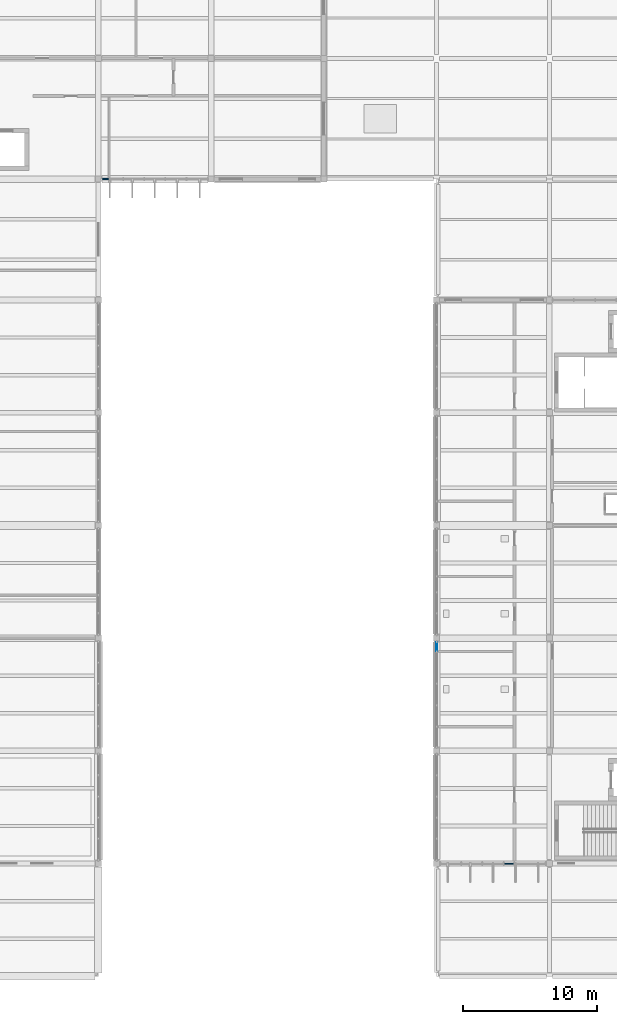
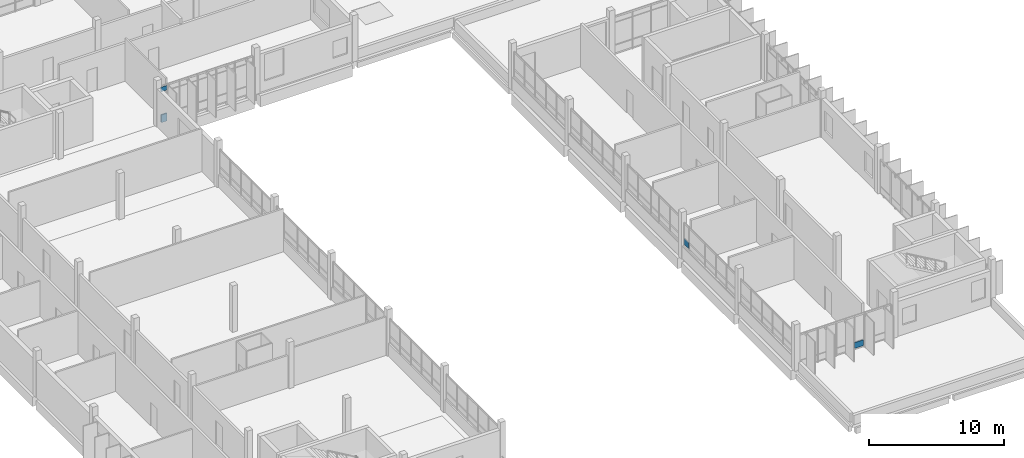
# One storey, part 49 of 62: 4 plates, 3 elements without a shape of their own.
"""IFC4 building model written with IfcOpenShell, lengths in metres."""

from ifc_helpers import new_model, si_unit, direction, frame, origin, origin_2d, place, context, subcontext, project, spatial, rectangle, extrude, material, layer, layer_set, type_object, element, aggregate, save


model = new_model("IFC4")

# Units and contexts
model_context = context("Model", 3, precision=1e-05, world=origin(), true_north=direction((0.0, 1.0)))
body_context = subcontext(model_context, "Body", "Model", "MODEL_VIEW")
ifc_project = project(units=[si_unit("LENGTHUNIT", "METRE"), si_unit("AREAUNIT", "SQUARE_METRE"), si_unit("VOLUMEUNIT", "CUBIC_METRE"), si_unit("PLANEANGLEUNIT", "RADIAN"), si_unit("MASSUNIT", "GRAM", prefix="KILO")], contexts=[model_context])

# Site, building, storey
site_placement = place(None, origin())
site = spatial("IfcSite", under=ifc_project, at=site_placement, CompositionType="ELEMENT")
building_placement = place(site_placement, origin())
building = spatial("IfcBuilding", under=site, at=building_placement, Name="Vireocrest Preparatory School", CompositionType="ELEMENT")
storey_placement = place(building_placement, frame((0.0, 0.0, 17.39990234375)))
storey = spatial("IfcBuildingStorey", under=building, at=storey_placement, Name="L04", CompositionType="ELEMENT", Elevation=17.39990234375)

# Curtain wall, plate
ifc_material_1 = material(Name="Thermally broken aluminium EN AW-6063-T6", Category="aluminium")
ifc_layer_1 = layer(ifc_material_1, 0.179931640625)
ifc_layer_set_1 = layer_set([ifc_layer_1], Name="Thermally broken aluminium EN AW-6063-T6")
curtain_wall_type_1 = type_object("IfcCurtainWallType", Name="Side Facade Curtain Wall 9000x4200", PredefinedType="USERDEFINED", material=ifc_layer_set_1)
curtain_wall_1_placement = place(storey_placement, origin())
curtain_wall_1 = element("IfcCurtainWall", 1, at=curtain_wall_1_placement, inside=storey, type_object=curtain_wall_type_1, Name="Curtain Wall CW07 CW_L04_CW07_0674_0948_174", ObjectType="CURTAIN WALL", PredefinedType="USERDEFINED")
ifc_material_2 = material(Name="Insulated triple low-e tempered safety glass", Category="glass")
ifc_layer_2 = layer(ifc_material_2, 0.074951171875)
ifc_layer_set_2 = layer_set([ifc_layer_2], Name="Insulated triple low-e tempered safety glass")
plate_type_1 = type_object("IfcPlateType", Name="Acoustic Triple-Glazed Lab Curtain Panel 75", PredefinedType="CURTAIN_PANEL", material=ifc_layer_set_2)
plate_1_placement = place(storey_placement, frame((67.72998046875, 94.800048828125, 2.91259765625), z_axis=(0.0, 0.0, 1.0), x_axis=(1.0, 0.0, 0.0)))
plate_1 = element("IfcPlate", 2, at=plate_1_placement, type_object=plate_type_1, Name="CW Panel GL2 CW_L04_CW07_0674_0948_174-1-3", PredefinedType="CURTAIN_PANEL", context=body_context, shape_type="SweptSolid", body=[
    extrude(rectangle(XDim=0.47509765625, YDim=0.074951171875, at=origin_2d()), origin(), (0.0, 0.0, 1.0), 0.409912109375),
])

curtain_wall_2_placement = place(storey_placement, origin())
curtain_wall_2 = element("IfcCurtainWall", 3, at=curtain_wall_2_placement, inside=storey, type_object=curtain_wall_type_1, Name="Curtain Wall CW07 CW_L04_CW07_0926_0438_174", ObjectType="CURTAIN WALL", PredefinedType="USERDEFINED")
plate_2_placement = place(storey_placement, frame((97.7939453125, 43.800048828125, 0.127685546875), z_axis=(0.0, 0.0, 1.0), x_axis=(1.0, 0.0, 0.0)))
plate_2 = element("IfcPlate", 4, at=plate_2_placement, type_object=plate_type_1, Name="CW Panel GL2 CW_L04_CW07_0926_0438_174-4-1", PredefinedType="CURTAIN_PANEL", context=body_context, shape_type="SweptSolid", body=[
    extrude(rectangle(XDim=0.7470703125, YDim=0.074951171875, at=origin_2d()), origin(), (0.0, 0.0, 1.0), 0.5400390625),
])
aggregate(curtain_wall_2, [plate_2])

# Plate
ifc_material_3 = material(Name="Painted white aluminium cladding EN AW-6063-T6", Category="aluminium")
ifc_layer_3 = layer(ifc_material_3, 0.114990234375)
ifc_layer_set_3 = layer_set([ifc_layer_3], Name="Painted white aluminium cladding EN AW-6063-T6")
plate_type_2 = type_object("IfcPlateType", Name="Insulated White Spandrel Curtain Panel 115", PredefinedType="CURTAIN_PANEL", material=ifc_layer_set_3)
plate_3_placement = place(storey_placement, frame((67.72998046875, 94.800048828125, 0.127685546875), z_axis=(0.0, 0.0, 1.0), x_axis=(1.0, 0.0, 0.0)))
plate_3 = element("IfcPlate", 5, at=plate_3_placement, type_object=plate_type_2, Name="CW Panel SP2 CW_L04_CW07_0674_0948_174-1-1", PredefinedType="CURTAIN_PANEL", context=body_context, shape_type="SweptSolid", body=[
    extrude(rectangle(XDim=0.47509765625, YDim=0.114990234375, at=origin_2d()), origin(), (0.0, 0.0, 1.0), 0.68994140625),
])

aggregate(curtain_wall_1, [plate_3, plate_1])

# Curtain wall, plate
ifc_layer_4 = layer(ifc_material_1, 0.179931640625)
ifc_layer_set_4 = layer_set([ifc_layer_4], Name="Thermally broken aluminium EN AW-6063-T6")
curtain_wall_type_2 = type_object("IfcCurtainWallType", Name="Court Banded Curtain Wall 8400x3000", PredefinedType="USERDEFINED", material=ifc_layer_set_4)
curtain_wall_3_placement = place(storey_placement, origin())
curtain_wall_3 = element("IfcCurtainWall", 6, at=curtain_wall_3_placement, inside=storey, type_object=curtain_wall_type_2, Name="Curtain Wall CW02 CW_L04_CW02_0924_0524_186", ObjectType="CURTAIN WALL", PredefinedType="USERDEFINED")
ifc_layer_5 = layer(ifc_material_2, 0.06005859375)
ifc_layer_set_5 = layer_set([ifc_layer_5], Name="Insulated triple low-e tempered safety glass")
plate_type_3 = type_object("IfcPlateType", Name="Triple-Glazed Vision Curtain Panel 60", PredefinedType="CURTAIN_PANEL", material=ifc_layer_set_5)
plate_4_placement = place(storey_placement, frame((92.39990234375, 59.969970703125, 1.277587890625), z_axis=(0.0, 0.0, 1.0), x_axis=(0.0, 1.0, 0.0)))
plate_4 = element("IfcPlate", 7, at=plate_4_placement, type_object=plate_type_3, Name="CW Panel GL1 CW_L04_CW02_0924_0524_186-5-1", PredefinedType="CURTAIN_PANEL", context=body_context, shape_type="SweptSolid", body=[
    extrude(rectangle(XDim=0.675048828125, YDim=0.06005859375, at=origin_2d()), origin(), (0.0, 0.0, 1.0), 0.5400390625),
])
aggregate(curtain_wall_3, [plate_4])

save(model, "model.ifc")
